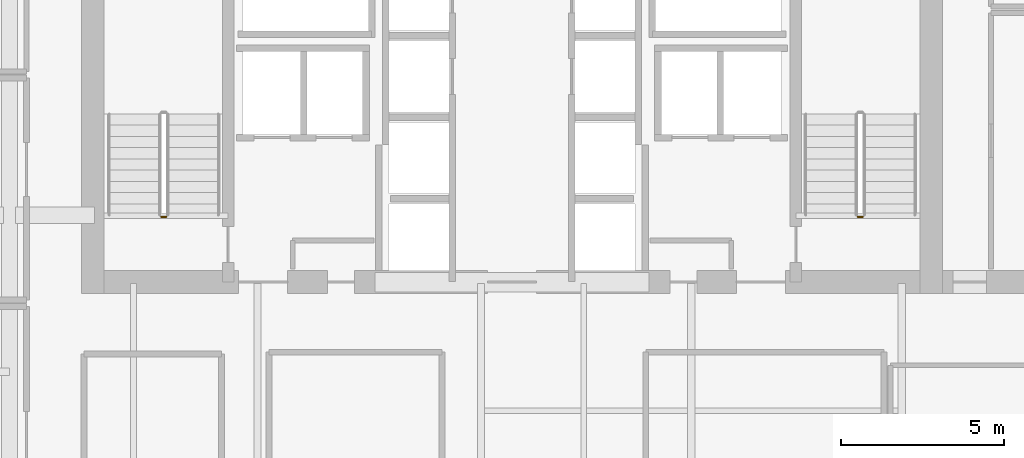
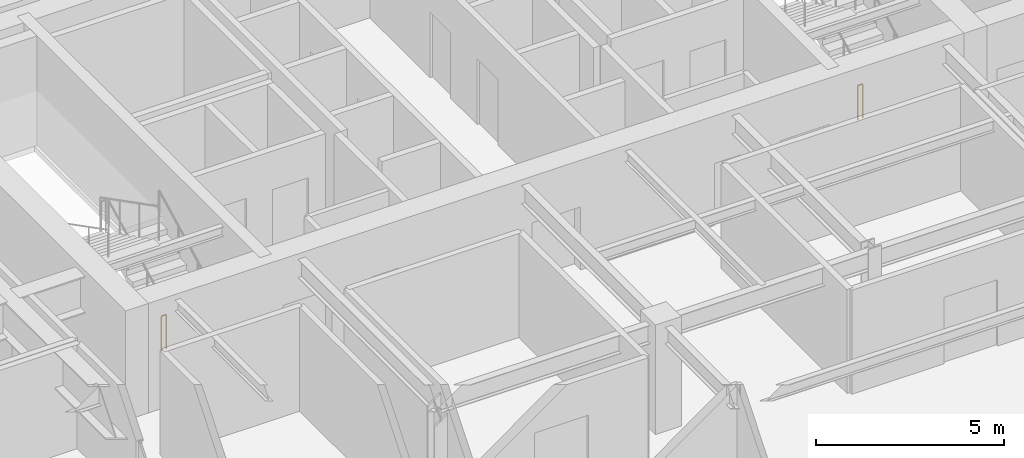
# One storey, part 23 of 26: 2 railings.
"""IFC4 building model written with IfcOpenShell, lengths in metres."""

from ifc_helpers import new_model, si_unit, direction, frame, origin, origin_2d, place, context, subcontext, project, spatial, circle, extrude, material, type_object, element, save


model = new_model("IFC4")

# Units and contexts
model_context = context("Model", 3, precision=1e-05, world=origin(), true_north=direction((0.0, 1.0)))
body_context = subcontext(model_context, "Body", "Model", "MODEL_VIEW")
ifc_project = project(units=[si_unit("LENGTHUNIT", "METRE"), si_unit("AREAUNIT", "SQUARE_METRE"), si_unit("VOLUMEUNIT", "CUBIC_METRE"), si_unit("PLANEANGLEUNIT", "RADIAN"), si_unit("MASSUNIT", "GRAM", prefix="KILO")], contexts=[model_context])

# Site, building, storey
site_placement = place(None, origin())
site = spatial("IfcSite", under=ifc_project, at=site_placement, CompositionType="ELEMENT")
building_placement = place(site_placement, origin())
building = spatial("IfcBuilding", under=site, at=building_placement, Name="Tolvann Quenvar Hotel", CompositionType="ELEMENT")
storey_placement = place(building_placement, frame((0.0, 0.0, 168.35009765625)))
storey = spatial("IfcBuildingStorey", under=building, at=storey_placement, Name="L44", CompositionType="ELEMENT", Elevation=168.35009765625)

# Railings
ifc_material = material(Name="Brushed 316 stainless steel balustrade and handrail", Category="steel")
railing_type = type_object("IfcRailingType", Name="GUARDRAIL", PredefinedType="GUARDRAIL", material=ifc_material)
for number, where, name in (
    (1, (12.39990234375, 33.949951171875, 0.0), "L44 ST-C1 stair guard 4"),
    (2, (33.75, 33.949951171875, 0.0), "L44 ST-C2 stair guard 4"),
):
    element("IfcRailing", number, at=place(storey_placement, frame(where)), inside=storey, type_object=railing_type, Name=name, PredefinedType="GUARDRAIL", context=body_context, shape_type="SweptSolid", body=[
        extrude(circle(Radius=0.02392578125, at=origin_2d()), frame((0.0, 0.0, 1.09619140625), z_axis=(-1.0, 0.0, 0.0), x_axis=(0.0, -1.0, 0.0)), (0.0, 0.0, 1.0), 0.14990234375),
        extrude(circle(Radius=0.02099609375, at=origin_2d()), origin(), (0.0, 0.0, 1.0), 1.072021484375),
        extrude(circle(Radius=0.02099609375, at=origin_2d()), frame((-0.14990234375, 0.0, 0.0)), (0.0, 0.0, 1.0), 1.072021484375),
    ])

save(model, "model.ifc")
